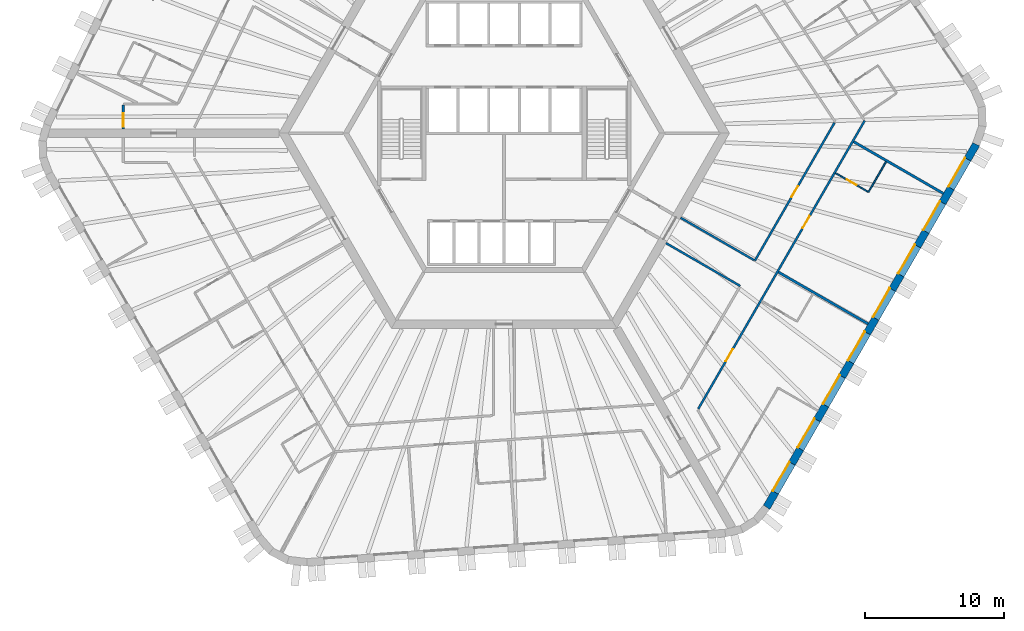
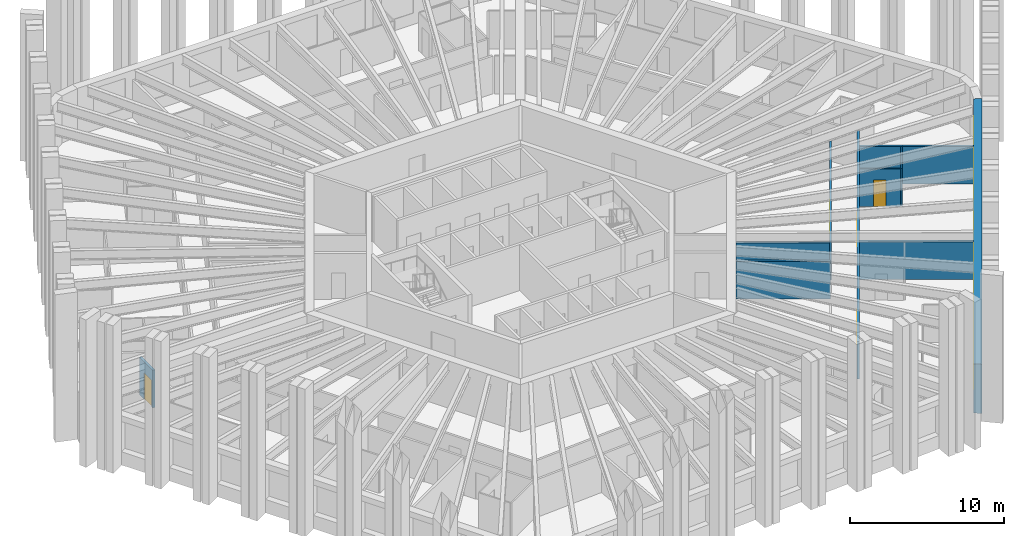
# One storey, part 6 of 13: 10 walls, 8 windows, 5 doors, 13 openings.
"""IFC4 building model written with IfcOpenShell, lengths in metres."""

import ifcopenshell
import ifcopenshell.guid

model = None  # the IFC model being written
_history = None  # IfcOwnerHistory: only IFC2X3 demands one
_inside = {}  # id of a spatial element -> (the spatial element, [elements in it])
_under = {}  # id of a project, library or spatial element -> (it, [spatial elements below it])
_declared = {}  # id of a project -> (the project, [libraries it declares])
_typed = {}  # id of a type object -> (the type object, [elements of that type])
_made_of = {}  # id of a material, layer set ... -> (it, [elements and type objects made of it])


def new_model(schema):
    """Start an empty IFC model of exactly this schema.

    Asked for "IFC4X3", IfcOpenShell would pick the latest addendum, in which some entities
    have other attributes; the version numbers below select the first issue.
    IFC2X3 requires an IfcOwnerHistory on every rooted entity: one is made here for all.
    """
    global model, _history
    if schema == "IFC4X3":
        model = ifcopenshell.file(schema_version=(4, 3, 0, 0))
    else:
        model = ifcopenshell.file(schema=schema)
    _inside.clear()
    _under.clear()
    _declared.clear()
    _typed.clear()
    _made_of.clear()
    _history = None
    if model.schema == "IFC2X3":
        org = make("IfcOrganization", Name="unknown")
        user = make(
            "IfcPersonAndOrganization",
            ThePerson=make("IfcPerson", FamilyName="unknown"),
            TheOrganization=org,
        )
        app = make(
            "IfcApplication",
            ApplicationDeveloper=org,
            Version="unknown",
            ApplicationFullName="unknown",
            ApplicationIdentifier="unknown",
        )
        _history = make(
            "IfcOwnerHistory",
            OwningUser=user,
            OwningApplication=app,
            ChangeAction="ADDED",
            CreationDate=0,
        )
    return model


def make(cls, **values):
    """One entity of the class cls with the attributes given. An attribute that is None is left unset."""
    return model.create_entity(
        cls, **{name: value for name, value in values.items() if value is not None}
    )


def rooted(cls, **values):
    """An entity with a GlobalId (a new one), such as an element, a storey or a relation."""
    return make(cls, GlobalId=ifcopenshell.guid.new(), OwnerHistory=_history, **values)


def si_unit(unit_type, name, prefix=None):
    """IfcSIUnit, for example si_unit("LENGTHUNIT", "METRE", prefix="MILLI")."""
    return make("IfcSIUnit", UnitType=unit_type, Prefix=prefix, Name=name)


def assignment(units):
    """IfcUnitAssignment: the units of a project."""
    return None if units is None else make("IfcUnitAssignment", Units=units)


def point(xyz):
    """IfcCartesianPoint."""
    return None if xyz is None else make("IfcCartesianPoint", Coordinates=xyz)


def direction(xyz):
    """IfcDirection."""
    return None if xyz is None else make("IfcDirection", DirectionRatios=xyz)


def frame(location, z_axis=None, x_axis=None):
    """IfcAxis2Placement3D, a coordinate frame: its origin and axes. An axis left out is left unset."""
    return make(
        "IfcAxis2Placement3D",
        Location=point(location),
        Axis=direction(z_axis),
        RefDirection=direction(x_axis),
    )


def frame_2d(location, x_axis=None):
    """IfcAxis2Placement2D, a coordinate frame in the plane: its origin and x axis."""
    return make(
        "IfcAxis2Placement2D", Location=point(location), RefDirection=direction(x_axis)
    )


def origin():
    """The frame at (0, 0, 0) with its axes left unset."""
    return frame((0.0, 0.0, 0.0))


def place(relative_to, where):
    """IfcLocalPlacement: puts the frame where relative to a parent placement (None: the world)."""
    return make(
        "IfcLocalPlacement", PlacementRelTo=relative_to, RelativePlacement=where
    )


def context(
    kind, dimensions, precision=None, world=None, true_north=None, identifier=None
):
    """IfcGeometricRepresentationContext, for example the 3D "Model" context."""
    return make(
        "IfcGeometricRepresentationContext",
        ContextIdentifier=identifier,
        ContextType=kind,
        CoordinateSpaceDimension=dimensions,
        Precision=precision,
        WorldCoordinateSystem=world,
        TrueNorth=true_north,
    )


def subcontext(parent, identifier, kind, view, scale=None):
    """IfcGeometricRepresentationSubContext, for example "Body" below "Model"."""
    return make(
        "IfcGeometricRepresentationSubContext",
        ContextIdentifier=identifier,
        ContextType=kind,
        ParentContext=parent,
        TargetScale=scale,
        TargetView=view,
    )


def project(units=None, contexts=None):
    """IfcProject with its units and contexts."""
    return rooted(
        "IfcProject",
        Name="project",
        RepresentationContexts=contexts,
        UnitsInContext=assignment(units),
    )


def spatial(cls, under=None, at=None, **own):
    """A site, building, storey or space (cls), placed at a placement, below another one or the project."""
    s = rooted(cls, ObjectPlacement=at, **own)
    if under is not None:
        _under.setdefault(under.id(), (under, []))[1].append(s)
    return s


def polyline(points):
    """IfcPolyline through the points."""
    return make("IfcPolyline", Points=[point(p) for p in points])


def profile(cls, at=None, kind="AREA", **sizes):
    """A parametric profile (cls). Its sizes go by their IFC names, for example OverallWidth=200.0."""
    return make(cls, ProfileType=kind, Position=at, **sizes)


def rectangle(**sizes):
    """IfcRectangleProfileDef."""
    return profile("IfcRectangleProfileDef", **sizes)


def outline(outer, holes=None, kind="AREA"):
    """IfcArbitraryClosedProfileDef: a profile drawn as a closed curve; with holes, ...WithVoids."""
    if holes is None:
        return make("IfcArbitraryClosedProfileDef", ProfileType=kind, OuterCurve=outer)
    return make(
        "IfcArbitraryProfileDefWithVoids",
        ProfileType=kind,
        OuterCurve=outer,
        InnerCurves=holes,
    )


def extrude(swept, where, along, depth):
    """IfcExtrudedAreaSolid: the profile swept, set in the frame where, extruded along a direction by depth."""
    return make(
        "IfcExtrudedAreaSolid",
        SweptArea=swept,
        Position=where,
        ExtrudedDirection=direction(along),
        Depth=depth,
    )


def shape(context_of_items, identifier, shape_type, items):
    """IfcShapeRepresentation: the items that make up one representation, for example the "Body"."""
    return make(
        "IfcShapeRepresentation",
        ContextOfItems=context_of_items,
        RepresentationIdentifier=identifier,
        RepresentationType=shape_type,
        Items=items,
    )


def material(Name=None, Category=None):
    """IfcMaterial."""
    return make("IfcMaterial", Name=Name, Category=Category)


def layer(
    of_material, thickness, ventilated=None, Name=None, Category=None, Priority=None
):
    """IfcMaterialLayer: one layer of a wall or slab, of a material (None: an air gap)."""
    return make(
        "IfcMaterialLayer",
        Material=of_material,
        LayerThickness=thickness,
        IsVentilated=ventilated,
        Name=Name,
        Category=Category,
        Priority=Priority,
    )


def layer_set(layers, Name=None):
    """IfcMaterialLayerSet."""
    return make("IfcMaterialLayerSet", MaterialLayers=layers, LayerSetName=Name)


def made_of(thing, what):
    """Note that an element or type object is made of a material, layer set ...; save() writes the relation."""
    if what is not None:
        _made_of.setdefault(what.id(), (what, []))[1].append(thing)
    return thing


def type_object(cls, material=None, **own):
    """A type object (cls), such as IfcWallType, which elements share."""
    return made_of(rooted(cls, **own), material)


def element(
    cls,
    number,
    at=None,
    inside=None,
    cuts=None,
    type_object=None,
    material=None,
    context=None,
    identifier="Body",
    shape_type=None,
    held_by="IfcProductDefinitionShape",
    body=None,
    shapes=None,
    **own,
):
    """One element of the class cls, such as IfcWall. Its Tag is "e" and its number.

    at: its placement. inside: the storey or other place that contains it. cuts: it is an
    opening in that element (IfcRelVoidsElement). A single representation is given by context,
    identifier, shape_type and body (its items); several are given by shapes. held_by: the class
    of the entity that holds the representations. save() writes the other relations.
    """
    e = rooted(cls, Tag="e%d" % number, ObjectPlacement=at, **own)
    if body is not None:
        shapes = [shape(context, identifier, shape_type, body)]
    if shapes is not None:
        e.Representation = make(held_by, Representations=shapes)
    if inside is not None:
        _inside.setdefault(inside.id(), (inside, []))[1].append(e)
    if cuts is not None:
        rooted(
            "IfcRelVoidsElement", RelatingBuildingElement=cuts, RelatedOpeningElement=e
        )
    if type_object is not None:
        _typed.setdefault(type_object.id(), (type_object, []))[1].append(e)
    return made_of(e, material)


def fill(opening, filler):
    """IfcRelFillsElement: the door or window that sits in an opening."""
    return rooted(
        "IfcRelFillsElement",
        RelatingOpeningElement=opening,
        RelatedBuildingElement=filler,
    )


def aggregate(whole, parts):
    """IfcRelAggregates: a whole, such as a stair, and the parts it consists of."""
    return rooted("IfcRelAggregates", RelatingObject=whole, RelatedObjects=parts)


def save(model, path):
    """Write the relations noted so far, then the file.

    IfcRelAggregates (storeys below a building ...), IfcRelContainedInSpatialStructure (elements
    in a storey), IfcRelDefinesByType, IfcRelAssociatesMaterial and IfcRelDeclares: one each for
    every whole, place, type object, material and project.
    """
    for whole, parts in _under.values():
        aggregate(whole, parts)
    for where, things in _inside.values():
        rooted(
            "IfcRelContainedInSpatialStructure",
            RelatedElements=things,
            RelatingStructure=where,
        )
    for kind, things in _typed.values():
        rooted("IfcRelDefinesByType", RelatedObjects=things, RelatingType=kind)
    for what, things in _made_of.values():
        rooted("IfcRelAssociatesMaterial", RelatedObjects=things, RelatingMaterial=what)
    for by, libraries in _declared.values():
        rooted("IfcRelDeclares", RelatingContext=by, RelatedDefinitions=libraries)
    model.write(path)


model = new_model("IFC4")

# Units and contexts
model_context = context("Model", 3, precision=1e-05, world=origin(), true_north=direction((0.0, 1.0)))
body_context = subcontext(model_context, "Body", "Model", "MODEL_VIEW")
ifc_project = project(units=[si_unit("LENGTHUNIT", "METRE"), si_unit("AREAUNIT", "SQUARE_METRE"), si_unit("VOLUMEUNIT", "CUBIC_METRE"), si_unit("PLANEANGLEUNIT", "RADIAN"), si_unit("MASSUNIT", "GRAM", prefix="KILO")], contexts=[model_context])

# Site, building, storey
site_placement = place(None, origin())
site = spatial("IfcSite", under=ifc_project, at=site_placement, CompositionType="ELEMENT")
building_placement = place(site_placement, origin())
building = spatial("IfcBuilding", under=site, at=building_placement, Name="Tarnside Tower", CompositionType="ELEMENT")
storey_placement = place(building_placement, frame((0.0, 0.0, 68.699951171875)))
storey = spatial("IfcBuildingStorey", under=building, at=storey_placement, Name="L14", CompositionType="ELEMENT", Elevation=68.699951171875)

# Wall
ifc_material_1 = material(Name="Gypsum board partition on steel studs", Category="steel")
ifc_layer_1 = layer(ifc_material_1, 0.10009765625)
ifc_layer_set_1 = layer_set([ifc_layer_1], Name="Bathroom wall 100")
wall_type_1 = type_object("IfcWallType", Name="Bathroom wall 100", PredefinedType="PARTITIONING", material=ifc_layer_set_1)
wall_1_placement = place(storey_placement, frame((27.394775390625, -2.051025390625, 0.0), z_axis=(0.0, 0.0, 1.0), x_axis=(-0.50001992892, -0.866013897511, 0.0)))
element("IfcWall", 1, at=wall_1_placement, inside=storey, type_object=wall_type_1, Name="Bathroom wall 04133", PredefinedType="PARTITIONING", context=body_context, shape_type="SweptSolid", body=[
    extrude(rectangle(XDim=2.51025390625, YDim=0.10009765625, at=frame_2d((1.255126953125, 0.0))), origin(), (0.0, 0.0, 1.0), 2.98779296875),
])

# Wall, opening, door
wall_2_placement = place(storey_placement, frame((26.096435546875, -4.19970703125, 0.0), z_axis=(0.0, 0.0, 1.0), x_axis=(-0.86604424267, 0.499967368674, 0.0)))
wall_2 = element("IfcWall", 2, at=wall_2_placement, inside=storey, type_object=wall_type_1, Name="Bathroom wall 04134", PredefinedType="PARTITIONING", context=body_context, shape_type="SweptSolid", body=[
    extrude(rectangle(XDim=2.675048828125, YDim=0.10009765625, at=frame_2d((1.33740234375, 0.0))), origin(), (0.0, 0.0, 1.0), 2.98779296875),
])
opening_1_placement = place(wall_2_placement, frame((0.949951171875, 0.0, 0.0)))
opening_1 = element("IfcOpeningElement", 3, at=opening_1_placement, cuts=wall_2, Name="Opening D-B1", PredefinedType="OPENING", context=body_context, shape_type="SweptSolid", body=[
    extrude(rectangle(XDim=0.800048828125, YDim=2.10009765625, at=frame_2d((0.39990234375, 1.050048828125))), frame((0.0, 0.06005859375, 0.0), z_axis=(0.0, -1.0, 0.0), x_axis=(1.0, 0.0, 0.0)), (0.0, 0.0, 1.0), 0.1201171875),
])
ifc_material_2 = material(Name="Timber door leaf", Category="wood")
door_type_1 = type_object("IfcDoorType", Name="Bathroom door 800", OperationType="NOTDEFINED", PredefinedType="DOOR", material=ifc_material_2)
door_1_placement = place(opening_1_placement, origin())
door_1 = element("IfcDoor", 4, at=door_1_placement, inside=storey, type_object=door_type_1, Name="Bathroom door 04032", OperationType="SINGLE_SWING_LEFT", OverallHeight=2.10009765625, OverallWidth=0.800048828125, PredefinedType="DOOR", context=body_context, shape_type="SweptSolid", body=[
    extrude(rectangle(XDim=0.800048828125, YDim=2.10009765625, at=frame_2d((0.39990234375, 1.050048828125))), frame((0.0, 0.02490234375, 0.0), z_axis=(0.0, -1.0, 0.0), x_axis=(1.0, 0.0, 0.0)), (0.0, 0.0, 1.0), 0.050048828125),
])
fill(opening_1, door_1)

ifc_layer_2 = layer(ifc_material_1, 0.14990234375)
ifc_layer_set_2 = layer_set([ifc_layer_2], Name="Corridor wall 150 EI 60")
wall_type_2 = type_object("IfcWallType", Name="Corridor wall 150 EI 60", PredefinedType="PARTITIONING", material=ifc_layer_set_2)
wall_3_placement = place(storey_placement, frame((-27.3203125, 2.02490234375, 0.0), z_axis=(0.0, 0.0, 1.0), x_axis=(0.0, -1.0, 0.0)))
wall_3 = element("IfcWall", 5, at=wall_3_placement, inside=storey, type_object=wall_type_2, Name="Corridor wall 04015", PredefinedType="PARTITIONING", context=body_context, shape_type="SweptSolid", body=[
    extrude(rectangle(XDim=1.724853515625, YDim=0.14990234375, at=frame_2d((0.8623046875, 0.0))), origin(), (0.0, 0.0, 1.0), 2.98779296875),
])
opening_2_placement = place(wall_3_placement, frame((0.574951171875, 0.0, 0.0)))
opening_2 = element("IfcOpeningElement", 6, at=opening_2_placement, cuts=wall_3, Name="Opening D-E1", PredefinedType="OPENING", context=body_context, shape_type="SweptSolid", body=[
    extrude(rectangle(XDim=1.0, YDim=2.10009765625, at=frame_2d((0.5, 1.050048828125))), frame((0.0, 0.0849609375, 0.0), z_axis=(0.0, -1.0, 0.0), x_axis=(1.0, 0.0, 0.0)), (0.0, 0.0, 1.0), 0.169921875),
])
door_type_2 = type_object("IfcDoorType", Name="Unit entrance door 1000 FD30S", OperationType="NOTDEFINED", PredefinedType="DOOR", material=ifc_material_2)
door_2_placement = place(opening_2_placement, origin())
door_2 = element("IfcDoor", 7, at=door_2_placement, inside=storey, type_object=door_type_2, Name="Unit door 04014", OperationType="SINGLE_SWING_LEFT", OverallHeight=2.10009765625, OverallWidth=1.0, PredefinedType="DOOR", context=body_context, shape_type="SweptSolid", body=[
    extrude(rectangle(XDim=1.0, YDim=2.10009765625, at=frame_2d((0.5, 1.050048828125))), frame((0.0, 0.02490234375, 0.0), z_axis=(0.0, -1.0, 0.0), x_axis=(1.0, 0.0, 0.0)), (0.0, 0.0, 1.0), 0.050048828125),
])
fill(opening_2, door_2)

# Wall, openings, doors
wall_4_placement = place(storey_placement, frame((13.928466796875, -19.77490234375, 0.0), z_axis=(0.0, 0.0, 1.0), x_axis=(0.50000450071, 0.866022805283, 0.0)))
wall_4 = element("IfcWall", 8, at=wall_4_placement, inside=storey, type_object=wall_type_2, Name="Corridor wall 04052", PredefinedType="PARTITIONING", context=body_context, shape_type="SweptSolid", body=[
    extrude(rectangle(XDim=23.877197265625, YDim=0.14990234375, at=frame_2d((11.9384765625, 0.0))), origin(), (0.0, 0.0, 1.0), 2.98779296875),
])
opening_3_placement = place(wall_4_placement, frame((3.94287109375, 0.0, 0.0)))
opening_3 = element("IfcOpeningElement", 9, at=opening_3_placement, cuts=wall_4, Name="Opening D-E1", PredefinedType="OPENING", context=body_context, shape_type="SweptSolid", body=[
    extrude(rectangle(XDim=1.0, YDim=2.10009765625, at=frame_2d((0.5, 1.050048828125))), frame((0.0, 0.0849609375, 0.0), z_axis=(0.0, -1.0, 0.0), x_axis=(1.0, 0.0, 0.0)), (0.0, 0.0, 1.0), 0.169921875),
])
opening_4_placement = place(wall_4_placement, frame((14.972412109375, 0.0, 0.0)))
opening_4 = element("IfcOpeningElement", 10, at=opening_4_placement, cuts=wall_4, Name="Opening D-E1", PredefinedType="OPENING", context=body_context, shape_type="SweptSolid", body=[
    extrude(rectangle(XDim=1.0, YDim=2.10009765625, at=frame_2d((0.5, 1.050048828125))), frame((0.0, 0.0849609375, 0.0), z_axis=(0.0, -1.0, 0.0), x_axis=(1.0, 0.0, 0.0)), (0.0, 0.0, 1.0), 0.169921875),
])
door_3_placement = place(opening_3_placement, origin())
door_3 = element("IfcDoor", 11, at=door_3_placement, inside=storey, type_object=door_type_2, Name="Unit door 04028", OperationType="SINGLE_SWING_RIGHT", OverallHeight=2.10009765625, OverallWidth=1.0, PredefinedType="DOOR", context=body_context, shape_type="SweptSolid", body=[
    extrude(rectangle(XDim=1.0, YDim=2.10009765625, at=frame_2d((0.5, 1.050048828125))), frame((0.0, 0.02490234375, 0.0), z_axis=(0.0, -1.0, 0.0), x_axis=(1.0, 0.0, 0.0)), (0.0, 0.0, 1.0), 0.050048828125),
])
fill(opening_3, door_3)
door_4_placement = place(opening_4_placement, origin())
door_4 = element("IfcDoor", 12, at=door_4_placement, inside=storey, type_object=door_type_2, Name="Unit door 04031", OperationType="SINGLE_SWING_LEFT", OverallHeight=2.10009765625, OverallWidth=1.0, PredefinedType="DOOR", context=body_context, shape_type="SweptSolid", body=[
    extrude(rectangle(XDim=1.0, YDim=2.10009765625, at=frame_2d((0.5, 1.050048828125))), frame((0.0, 0.02490234375, 0.0), z_axis=(0.0, -1.0, 0.0), x_axis=(1.0, 0.0, 0.0)), (0.0, 0.0, 1.0), 0.050048828125),
])
fill(opening_4, door_4)

# Wall, opening, door
wall_5_placement = place(storey_placement, frame((23.704345703125, 0.757080078125, 0.0), z_axis=(0.0, 0.0, 1.0), x_axis=(-0.500010297365, -0.866019458516, 0.0)))
wall_5 = element("IfcWall", 13, at=wall_5_placement, inside=storey, type_object=wall_type_2, Name="Corridor wall 04069", PredefinedType="PARTITIONING", context=body_context, shape_type="SweptSolid", body=[
    extrude(rectangle(XDim=11.428955078125, YDim=0.14990234375, at=frame_2d((5.71435546875, 0.0))), origin(), (0.0, 0.0, 1.0), 2.98779296875),
])
opening_5_placement = place(wall_5_placement, frame((5.264404296875, 0.0, 0.0)))
opening_5 = element("IfcOpeningElement", 14, at=opening_5_placement, cuts=wall_5, Name="Opening D-S1", PredefinedType="OPENING", context=body_context, shape_type="SweptSolid", body=[
    extrude(rectangle(XDim=0.89990234375, YDim=2.10009765625, at=frame_2d((0.449951171875, 1.050048828125))), frame((0.0, 0.0849609375, 0.0), z_axis=(0.0, -1.0, 0.0), x_axis=(1.0, 0.0, 0.0)), (0.0, 0.0, 1.0), 0.169921875),
])
door_type_3 = type_object("IfcDoorType", Name="Service room door 900 FD30S", OperationType="NOTDEFINED", PredefinedType="DOOR", material=ifc_material_2)
door_5_placement = place(opening_5_placement, origin())
door_5 = element("IfcDoor", 15, at=door_5_placement, inside=storey, type_object=door_type_3, Name="Service door 04047", OperationType="SINGLE_SWING_LEFT", OverallHeight=2.10009765625, OverallWidth=0.89990234375, PredefinedType="DOOR", context=body_context, shape_type="SweptSolid", body=[
    extrude(rectangle(XDim=0.89990234375, YDim=2.10009765625, at=frame_2d((0.449951171875, 1.050048828125))), frame((0.0, 0.02490234375, 0.0), z_axis=(0.0, -1.0, 0.0), x_axis=(1.0, 0.0, 0.0)), (0.0, 0.0, 1.0), 0.050048828125),
])
fill(opening_5, door_5)

# Walls
wall_6_placement = place(storey_placement, frame((17.9248046875, -9.103271484375, 0.0), z_axis=(0.0, 0.0, 1.0), x_axis=(-0.866013586754, 0.500020467139, 0.0)))
element("IfcWall", 16, at=wall_6_placement, inside=storey, type_object=wall_type_2, Name="Corridor wall 04070", PredefinedType="PARTITIONING", context=body_context, shape_type="SweptSolid", body=[
    extrude(rectangle(XDim=6.074951171875, YDim=0.14990234375, at=frame_2d((3.03759765625, 0.0))), origin(), (0.0, 0.0, 1.0), 2.98779296875),
])
wall_7_placement = place(storey_placement, frame((11.61376953125, -7.88427734375, 0.0), z_axis=(0.0, 0.0, 1.0), x_axis=(0.866033542371, -0.499985903289, 0.0)))
element("IfcWall", 17, at=wall_7_placement, inside=storey, type_object=wall_type_2, Name="Corridor wall 04071", PredefinedType="PARTITIONING", context=body_context, shape_type="SweptSolid", body=[
    extrude(rectangle(XDim=6.150146484375, YDim=0.14990234375, at=frame_2d((3.0751953125, 0.0))), origin(), (0.0, 0.0, 1.0), 2.98779296875),
])
ifc_layer_3 = layer(ifc_material_1, 0.179931640625)
ifc_layer_set_3 = layer_set([ifc_layer_3], Name="Demising wall 180 EI 60")
wall_type_3 = type_object("IfcWallType", Name="Demising wall 180 EI 60", PredefinedType="PARTITIONING", material=ifc_layer_set_3)
wall_8_placement = place(storey_placement, frame((26.10986328125, -13.67626953125, 0.0), z_axis=(0.0, 0.0, 1.0), x_axis=(-0.866014745021, 0.500018461065, 0.0)))
element("IfcWall", 18, at=wall_8_placement, inside=storey, type_object=wall_type_3, Name="Demising wall 04131", PredefinedType="PARTITIONING", context=body_context, shape_type="SweptSolid", body=[
    extrude(rectangle(XDim=7.425048828125, YDim=0.179931640625, at=frame_2d((3.71240234375, 0.0))), origin(), (0.0, 0.0, 1.0), 2.98779296875),
])
wall_9_placement = place(storey_placement, frame((31.510009765625, -4.322998046875, 0.0), z_axis=(0.0, 0.0, 1.0), x_axis=(-0.866028983062, 0.499993800457, 0.0)))
element("IfcWall", 19, at=wall_9_placement, inside=storey, type_object=wall_type_3, Name="Demising wall 04135", PredefinedType="PARTITIONING", context=body_context, shape_type="SweptSolid", body=[
    extrude(rectangle(XDim=7.4248046875, YDim=0.179931640625, at=frame_2d((3.71240234375, 0.0))), origin(), (0.0, 0.0, 1.0), 2.98779296875),
])

# Wall, openings, windows
ifc_material_3 = material(Name="Facing brick", Category="masonry")
ifc_layer_4 = layer(ifc_material_3, 0.10205078125)
ifc_material_4 = material(Name="Concrete C60/75 precast", Category="concrete")
ifc_layer_5 = layer(ifc_material_4, 0.347900390625)
ifc_material_5 = material(Name="Mineral wool insulation")
ifc_layer_6 = layer(ifc_material_5, 0.10009765625)
ifc_layer_set_4 = layer_set([ifc_layer_4, ifc_layer_5, ifc_layer_6], Name="Tube wall 550 brick faced")
wall_type_4 = type_object("IfcWallType", Name="Tube wall 550 brick faced", PredefinedType="SOLIDWALL", material=ifc_layer_set_4)
wall_10_placement = place(storey_placement, frame((18.830322265625, -26.834716796875, -0.14990234375), z_axis=(0.0, 0.0, 1.0), x_axis=(0.500003800416, 0.866023209602, 0.0)))
wall_10 = element("IfcWall", 20, at=wall_10_placement, inside=storey, type_object=wall_type_4, Name="Tube wall L14 F5 flush 16", PredefinedType="SOLIDWALL", context=body_context, shape_type="SweptSolid", body=[
    extrude(outline(polyline([(-0.0224609375, -0.27490234375), (30.0966796875, -0.27490234375), (30.04541015625, 0.27490234375), (0.0224609375, 0.27490234375), (-0.0224609375, -0.27490234375)])), origin(), (0.0, 0.0, 1.0), 3.89990234375),
])
opening_6_placement = place(wall_10_placement, frame((1.235595703125, 0.0, 1.050048828125)))
opening_6 = element("IfcOpeningElement", 21, at=opening_6_placement, cuts=wall_10, Name="Opening WH", PredefinedType="OPENING", context=body_context, shape_type="SweptSolid", body=[
    extrude(rectangle(XDim=2.39990234375, YDim=2.39990234375, at=frame_2d((1.199951171875, 1.199951171875))), frame((0.0, 0.28515625, 0.0), z_axis=(0.0, -1.0, 0.0), x_axis=(1.0, 0.0, 0.0)), (0.0, 0.0, 1.0), 0.570068359375),
])
opening_7_placement = place(wall_10_placement, frame((4.83544921875, 0.0, 1.050048828125)))
opening_7 = element("IfcOpeningElement", 22, at=opening_7_placement, cuts=wall_10, Name="Opening WH", PredefinedType="OPENING", context=body_context, shape_type="SweptSolid", body=[
    extrude(rectangle(XDim=2.39990234375, YDim=2.39990234375, at=frame_2d((1.199951171875, 1.199951171875))), frame((0.0, 0.28515625, 0.0), z_axis=(0.0, -1.0, 0.0), x_axis=(1.0, 0.0, 0.0)), (0.0, 0.0, 1.0), 0.570068359375),
])
opening_8_placement = place(wall_10_placement, frame((8.435546875, 0.0, 1.050048828125)))
opening_8 = element("IfcOpeningElement", 23, at=opening_8_placement, cuts=wall_10, Name="Opening WH", PredefinedType="OPENING", context=body_context, shape_type="SweptSolid", body=[
    extrude(rectangle(XDim=2.39990234375, YDim=2.39990234375, at=frame_2d((1.199951171875, 1.199951171875))), frame((0.0, 0.28515625, 0.0), z_axis=(0.0, -1.0, 0.0), x_axis=(1.0, 0.0, 0.0)), (0.0, 0.0, 1.0), 0.570068359375),
])
opening_9_placement = place(wall_10_placement, frame((12.035400390625, 0.0, 1.050048828125)))
opening_9 = element("IfcOpeningElement", 24, at=opening_9_placement, cuts=wall_10, Name="Opening WH", PredefinedType="OPENING", context=body_context, shape_type="SweptSolid", body=[
    extrude(rectangle(XDim=2.39990234375, YDim=2.39990234375, at=frame_2d((1.199951171875, 1.199951171875))), frame((0.0, 0.28515625, 0.0), z_axis=(0.0, -1.0, 0.0), x_axis=(1.0, 0.0, 0.0)), (0.0, 0.0, 1.0), 0.570068359375),
])
opening_10_placement = place(wall_10_placement, frame((15.635498046875, 0.0, 1.050048828125)))
opening_10 = element("IfcOpeningElement", 25, at=opening_10_placement, cuts=wall_10, Name="Opening WH", PredefinedType="OPENING", context=body_context, shape_type="SweptSolid", body=[
    extrude(rectangle(XDim=2.39990234375, YDim=2.39990234375, at=frame_2d((1.199951171875, 1.199951171875))), frame((0.0, 0.28515625, 0.0), z_axis=(0.0, -1.0, 0.0), x_axis=(1.0, 0.0, 0.0)), (0.0, 0.0, 1.0), 0.570068359375),
])
opening_11_placement = place(wall_10_placement, frame((19.235595703125, 0.0, 1.050048828125)))
opening_11 = element("IfcOpeningElement", 26, at=opening_11_placement, cuts=wall_10, Name="Opening WH", PredefinedType="OPENING", context=body_context, shape_type="SweptSolid", body=[
    extrude(rectangle(XDim=2.39990234375, YDim=2.39990234375, at=frame_2d((1.199951171875, 1.199951171875))), frame((0.0, 0.28515625, 0.0), z_axis=(0.0, -1.0, 0.0), x_axis=(1.0, 0.0, 0.0)), (0.0, 0.0, 1.0), 0.570068359375),
])
opening_12_placement = place(wall_10_placement, frame((22.83544921875, 0.0, 1.050048828125)))
opening_12 = element("IfcOpeningElement", 27, at=opening_12_placement, cuts=wall_10, Name="Opening WH", PredefinedType="OPENING", context=body_context, shape_type="SweptSolid", body=[
    extrude(rectangle(XDim=2.39990234375, YDim=2.39990234375, at=frame_2d((1.199951171875, 1.199951171875))), frame((0.0, 0.28515625, 0.0), z_axis=(0.0, -1.0, 0.0), x_axis=(1.0, 0.0, 0.0)), (0.0, 0.0, 1.0), 0.570068359375),
])
opening_13_placement = place(wall_10_placement, frame((26.435546875, 0.0, 1.050048828125)))
opening_13 = element("IfcOpeningElement", 28, at=opening_13_placement, cuts=wall_10, Name="Opening WH", PredefinedType="OPENING", context=body_context, shape_type="SweptSolid", body=[
    extrude(rectangle(XDim=2.39990234375, YDim=2.39990234375, at=frame_2d((1.199951171875, 1.199951171875))), frame((0.0, 0.28515625, 0.0), z_axis=(0.0, -1.0, 0.0), x_axis=(1.0, 0.0, 0.0)), (0.0, 0.0, 1.0), 0.570068359375),
])
ifc_material_6 = material(Name="Aluminium-framed double glazing", Category="aluminium")
window_type = type_object("IfcWindowType", Name="Hotel window 2400 x 2400", PartitioningType="DOUBLE_PANEL_VERTICAL", PredefinedType="WINDOW", material=ifc_material_6)
window_1_placement = place(opening_6_placement, frame((0.0, 0.205078125, 0.0)))
window_1 = element("IfcWindow", 29, at=window_1_placement, inside=storey, type_object=window_type, Name="E.WN.L14.F5.00", OverallHeight=2.39990234375, OverallWidth=2.39990234375, PartitioningType="DOUBLE_PANEL_VERTICAL", PredefinedType="WINDOW", context=body_context, shape_type="SweptSolid", body=[
    extrude(rectangle(XDim=2.39990234375, YDim=2.39990234375, at=frame_2d((1.199951171875, 1.199951171875))), frame((0.0, 0.030029296875, 0.0), z_axis=(0.0, -1.0, 0.0), x_axis=(1.0, 0.0, 0.0)), (0.0, 0.0, 1.0), 0.06005859375),
])
fill(opening_6, window_1)
window_2_placement = place(opening_7_placement, frame((0.0, 0.205078125, 0.0)))
window_2 = element("IfcWindow", 30, at=window_2_placement, inside=storey, type_object=window_type, Name="E.WN.L14.F5.01", OverallHeight=2.39990234375, OverallWidth=2.39990234375, PartitioningType="DOUBLE_PANEL_VERTICAL", PredefinedType="WINDOW", context=body_context, shape_type="SweptSolid", body=[
    extrude(rectangle(XDim=2.39990234375, YDim=2.39990234375, at=frame_2d((1.199951171875, 1.199951171875))), frame((0.0, 0.030029296875, 0.0), z_axis=(0.0, -1.0, 0.0), x_axis=(1.0, 0.0, 0.0)), (0.0, 0.0, 1.0), 0.06005859375),
])
fill(opening_7, window_2)
window_3_placement = place(opening_8_placement, frame((0.0, 0.205078125, 0.0)))
window_3 = element("IfcWindow", 31, at=window_3_placement, inside=storey, type_object=window_type, Name="E.WN.L14.F5.02", OverallHeight=2.39990234375, OverallWidth=2.39990234375, PartitioningType="DOUBLE_PANEL_VERTICAL", PredefinedType="WINDOW", context=body_context, shape_type="SweptSolid", body=[
    extrude(rectangle(XDim=2.39990234375, YDim=2.39990234375, at=frame_2d((1.199951171875, 1.199951171875))), frame((0.0, 0.030029296875, 0.0), z_axis=(0.0, -1.0, 0.0), x_axis=(1.0, 0.0, 0.0)), (0.0, 0.0, 1.0), 0.06005859375),
])
fill(opening_8, window_3)
window_4_placement = place(opening_9_placement, frame((0.0, 0.205078125, 0.0)))
window_4 = element("IfcWindow", 32, at=window_4_placement, inside=storey, type_object=window_type, Name="E.WN.L14.F5.03", OverallHeight=2.39990234375, OverallWidth=2.39990234375, PartitioningType="DOUBLE_PANEL_VERTICAL", PredefinedType="WINDOW", context=body_context, shape_type="SweptSolid", body=[
    extrude(rectangle(XDim=2.39990234375, YDim=2.39990234375, at=frame_2d((1.199951171875, 1.199951171875))), frame((0.0, 0.030029296875, 0.0), z_axis=(0.0, -1.0, 0.0), x_axis=(1.0, 0.0, 0.0)), (0.0, 0.0, 1.0), 0.06005859375),
])
fill(opening_9, window_4)
window_5_placement = place(opening_10_placement, frame((0.0, 0.205078125, 0.0)))
window_5 = element("IfcWindow", 33, at=window_5_placement, inside=storey, type_object=window_type, Name="E.WN.L14.F5.04", OverallHeight=2.39990234375, OverallWidth=2.39990234375, PartitioningType="DOUBLE_PANEL_VERTICAL", PredefinedType="WINDOW", context=body_context, shape_type="SweptSolid", body=[
    extrude(rectangle(XDim=2.39990234375, YDim=2.39990234375, at=frame_2d((1.199951171875, 1.199951171875))), frame((0.0, 0.030029296875, 0.0), z_axis=(0.0, -1.0, 0.0), x_axis=(1.0, 0.0, 0.0)), (0.0, 0.0, 1.0), 0.06005859375),
])
fill(opening_10, window_5)
window_6_placement = place(opening_11_placement, frame((0.0, 0.205078125, 0.0)))
window_6 = element("IfcWindow", 34, at=window_6_placement, inside=storey, type_object=window_type, Name="E.WN.L14.F5.05", OverallHeight=2.39990234375, OverallWidth=2.39990234375, PartitioningType="DOUBLE_PANEL_VERTICAL", PredefinedType="WINDOW", context=body_context, shape_type="SweptSolid", body=[
    extrude(rectangle(XDim=2.39990234375, YDim=2.39990234375, at=frame_2d((1.199951171875, 1.199951171875))), frame((0.0, 0.030029296875, 0.0), z_axis=(0.0, -1.0, 0.0), x_axis=(1.0, 0.0, 0.0)), (0.0, 0.0, 1.0), 0.06005859375),
])
fill(opening_11, window_6)
window_7_placement = place(opening_12_placement, frame((0.0, 0.205078125, 0.0)))
window_7 = element("IfcWindow", 35, at=window_7_placement, inside=storey, type_object=window_type, Name="E.WN.L14.F5.06", OverallHeight=2.39990234375, OverallWidth=2.39990234375, PartitioningType="DOUBLE_PANEL_VERTICAL", PredefinedType="WINDOW", context=body_context, shape_type="SweptSolid", body=[
    extrude(rectangle(XDim=2.39990234375, YDim=2.39990234375, at=frame_2d((1.199951171875, 1.199951171875))), frame((0.0, 0.030029296875, 0.0), z_axis=(0.0, -1.0, 0.0), x_axis=(1.0, 0.0, 0.0)), (0.0, 0.0, 1.0), 0.06005859375),
])
fill(opening_12, window_7)
window_8_placement = place(opening_13_placement, frame((0.0, 0.205078125, 0.0)))
window_8 = element("IfcWindow", 36, at=window_8_placement, inside=storey, type_object=window_type, Name="E.WN.L14.F5.07", OverallHeight=2.39990234375, OverallWidth=2.39990234375, PartitioningType="DOUBLE_PANEL_VERTICAL", PredefinedType="WINDOW", context=body_context, shape_type="SweptSolid", body=[
    extrude(rectangle(XDim=2.39990234375, YDim=2.39990234375, at=frame_2d((1.199951171875, 1.199951171875))), frame((0.0, 0.030029296875, 0.0), z_axis=(0.0, -1.0, 0.0), x_axis=(1.0, 0.0, 0.0)), (0.0, 0.0, 1.0), 0.06005859375),
])
fill(opening_13, window_8)

save(model, "model.ifc")
